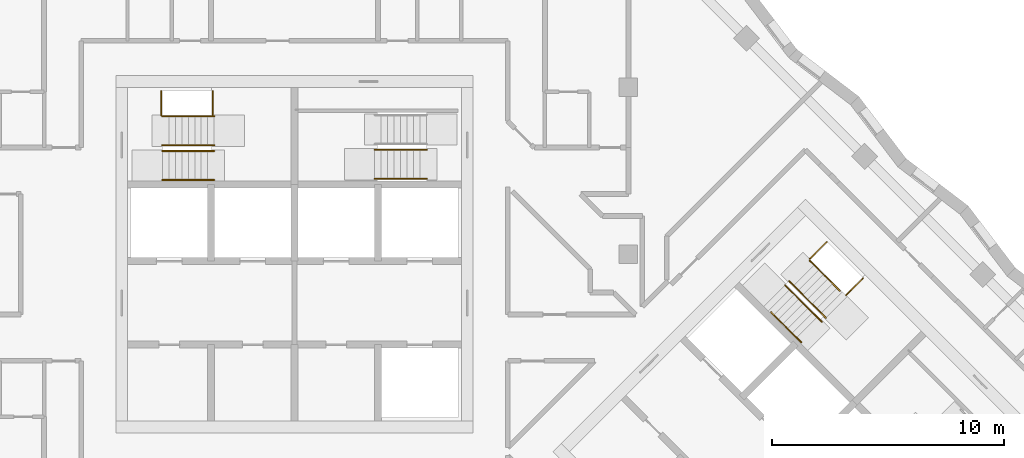
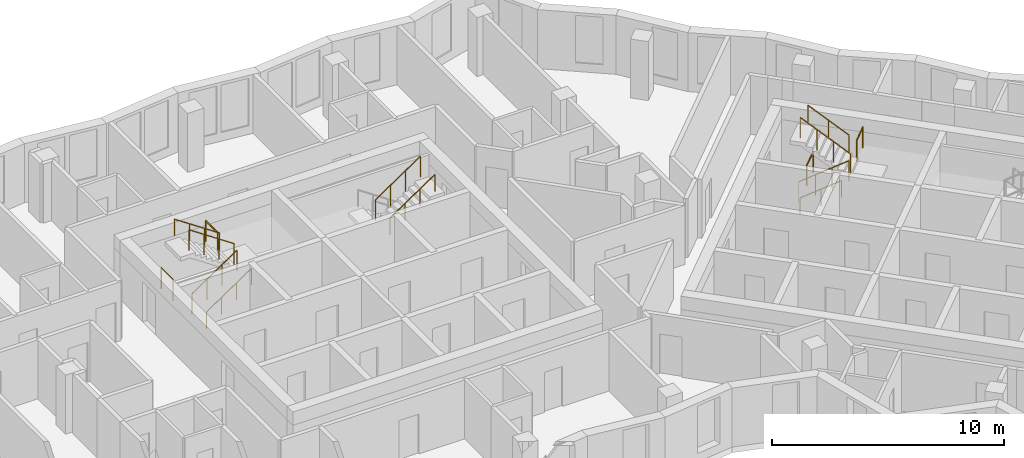
# One storey, part 10 of 12: 14 railings.
"""IFC4 building model written with IfcOpenShell, lengths in metres."""

import ifcopenshell
import ifcopenshell.guid

model = None  # the IFC model being written
_history = None  # IfcOwnerHistory: only IFC2X3 demands one
_inside = {}  # id of a spatial element -> (the spatial element, [elements in it])
_under = {}  # id of a project, library or spatial element -> (it, [spatial elements below it])
_declared = {}  # id of a project -> (the project, [libraries it declares])
_typed = {}  # id of a type object -> (the type object, [elements of that type])
_made_of = {}  # id of a material, layer set ... -> (it, [elements and type objects made of it])


def new_model(schema):
    """Start an empty IFC model of exactly this schema.

    Asked for "IFC4X3", IfcOpenShell would pick the latest addendum, in which some entities
    have other attributes; the version numbers below select the first issue.
    IFC2X3 requires an IfcOwnerHistory on every rooted entity: one is made here for all.
    """
    global model, _history
    if schema == "IFC4X3":
        model = ifcopenshell.file(schema_version=(4, 3, 0, 0))
    else:
        model = ifcopenshell.file(schema=schema)
    _inside.clear()
    _under.clear()
    _declared.clear()
    _typed.clear()
    _made_of.clear()
    _history = None
    if model.schema == "IFC2X3":
        org = make("IfcOrganization", Name="unknown")
        user = make(
            "IfcPersonAndOrganization",
            ThePerson=make("IfcPerson", FamilyName="unknown"),
            TheOrganization=org,
        )
        app = make(
            "IfcApplication",
            ApplicationDeveloper=org,
            Version="unknown",
            ApplicationFullName="unknown",
            ApplicationIdentifier="unknown",
        )
        _history = make(
            "IfcOwnerHistory",
            OwningUser=user,
            OwningApplication=app,
            ChangeAction="ADDED",
            CreationDate=0,
        )
    return model


def make(cls, **values):
    """One entity of the class cls with the attributes given. An attribute that is None is left unset."""
    return model.create_entity(
        cls, **{name: value for name, value in values.items() if value is not None}
    )


def rooted(cls, **values):
    """An entity with a GlobalId (a new one), such as an element, a storey or a relation."""
    return make(cls, GlobalId=ifcopenshell.guid.new(), OwnerHistory=_history, **values)


def si_unit(unit_type, name, prefix=None):
    """IfcSIUnit, for example si_unit("LENGTHUNIT", "METRE", prefix="MILLI")."""
    return make("IfcSIUnit", UnitType=unit_type, Prefix=prefix, Name=name)


def assignment(units):
    """IfcUnitAssignment: the units of a project."""
    return None if units is None else make("IfcUnitAssignment", Units=units)


def point(xyz):
    """IfcCartesianPoint."""
    return None if xyz is None else make("IfcCartesianPoint", Coordinates=xyz)


def direction(xyz):
    """IfcDirection."""
    return None if xyz is None else make("IfcDirection", DirectionRatios=xyz)


def frame(location, z_axis=None, x_axis=None):
    """IfcAxis2Placement3D, a coordinate frame: its origin and axes. An axis left out is left unset."""
    return make(
        "IfcAxis2Placement3D",
        Location=point(location),
        Axis=direction(z_axis),
        RefDirection=direction(x_axis),
    )


def frame_2d(location, x_axis=None):
    """IfcAxis2Placement2D, a coordinate frame in the plane: its origin and x axis."""
    return make(
        "IfcAxis2Placement2D", Location=point(location), RefDirection=direction(x_axis)
    )


def origin():
    """The frame at (0, 0, 0) with its axes left unset."""
    return frame((0.0, 0.0, 0.0))


def origin_2d():
    """The frame at (0, 0) in the plane with its x axis left unset."""
    return frame_2d((0.0, 0.0))


def place(relative_to, where):
    """IfcLocalPlacement: puts the frame where relative to a parent placement (None: the world)."""
    return make(
        "IfcLocalPlacement", PlacementRelTo=relative_to, RelativePlacement=where
    )


def context(
    kind, dimensions, precision=None, world=None, true_north=None, identifier=None
):
    """IfcGeometricRepresentationContext, for example the 3D "Model" context."""
    return make(
        "IfcGeometricRepresentationContext",
        ContextIdentifier=identifier,
        ContextType=kind,
        CoordinateSpaceDimension=dimensions,
        Precision=precision,
        WorldCoordinateSystem=world,
        TrueNorth=true_north,
    )


def subcontext(parent, identifier, kind, view, scale=None):
    """IfcGeometricRepresentationSubContext, for example "Body" below "Model"."""
    return make(
        "IfcGeometricRepresentationSubContext",
        ContextIdentifier=identifier,
        ContextType=kind,
        ParentContext=parent,
        TargetScale=scale,
        TargetView=view,
    )


def project(units=None, contexts=None):
    """IfcProject with its units and contexts."""
    return rooted(
        "IfcProject",
        Name="project",
        RepresentationContexts=contexts,
        UnitsInContext=assignment(units),
    )


def spatial(cls, under=None, at=None, **own):
    """A site, building, storey or space (cls), placed at a placement, below another one or the project."""
    s = rooted(cls, ObjectPlacement=at, **own)
    if under is not None:
        _under.setdefault(under.id(), (under, []))[1].append(s)
    return s


def profile(cls, at=None, kind="AREA", **sizes):
    """A parametric profile (cls). Its sizes go by their IFC names, for example OverallWidth=200.0."""
    return make(cls, ProfileType=kind, Position=at, **sizes)


def circle(**sizes):
    """IfcCircleProfileDef."""
    return profile("IfcCircleProfileDef", **sizes)


def extrude(swept, where, along, depth):
    """IfcExtrudedAreaSolid: the profile swept, set in the frame where, extruded along a direction by depth."""
    return make(
        "IfcExtrudedAreaSolid",
        SweptArea=swept,
        Position=where,
        ExtrudedDirection=direction(along),
        Depth=depth,
    )


def shape(context_of_items, identifier, shape_type, items):
    """IfcShapeRepresentation: the items that make up one representation, for example the "Body"."""
    return make(
        "IfcShapeRepresentation",
        ContextOfItems=context_of_items,
        RepresentationIdentifier=identifier,
        RepresentationType=shape_type,
        Items=items,
    )


def material(Name=None, Category=None):
    """IfcMaterial."""
    return make("IfcMaterial", Name=Name, Category=Category)


def made_of(thing, what):
    """Note that an element or type object is made of a material, layer set ...; save() writes the relation."""
    if what is not None:
        _made_of.setdefault(what.id(), (what, []))[1].append(thing)
    return thing


def type_object(cls, material=None, **own):
    """A type object (cls), such as IfcWallType, which elements share."""
    return made_of(rooted(cls, **own), material)


def element(
    cls,
    number,
    at=None,
    inside=None,
    cuts=None,
    type_object=None,
    material=None,
    context=None,
    identifier="Body",
    shape_type=None,
    held_by="IfcProductDefinitionShape",
    body=None,
    shapes=None,
    **own,
):
    """One element of the class cls, such as IfcWall. Its Tag is "e" and its number.

    at: its placement. inside: the storey or other place that contains it. cuts: it is an
    opening in that element (IfcRelVoidsElement). A single representation is given by context,
    identifier, shape_type and body (its items); several are given by shapes. held_by: the class
    of the entity that holds the representations. save() writes the other relations.
    """
    e = rooted(cls, Tag="e%d" % number, ObjectPlacement=at, **own)
    if body is not None:
        shapes = [shape(context, identifier, shape_type, body)]
    if shapes is not None:
        e.Representation = make(held_by, Representations=shapes)
    if inside is not None:
        _inside.setdefault(inside.id(), (inside, []))[1].append(e)
    if cuts is not None:
        rooted(
            "IfcRelVoidsElement", RelatingBuildingElement=cuts, RelatedOpeningElement=e
        )
    if type_object is not None:
        _typed.setdefault(type_object.id(), (type_object, []))[1].append(e)
    return made_of(e, material)


def aggregate(whole, parts):
    """IfcRelAggregates: a whole, such as a stair, and the parts it consists of."""
    return rooted("IfcRelAggregates", RelatingObject=whole, RelatedObjects=parts)


def save(model, path):
    """Write the relations noted so far, then the file.

    IfcRelAggregates (storeys below a building ...), IfcRelContainedInSpatialStructure (elements
    in a storey), IfcRelDefinesByType, IfcRelAssociatesMaterial and IfcRelDeclares: one each for
    every whole, place, type object, material and project.
    """
    for whole, parts in _under.values():
        aggregate(whole, parts)
    for where, things in _inside.values():
        rooted(
            "IfcRelContainedInSpatialStructure",
            RelatedElements=things,
            RelatingStructure=where,
        )
    for kind, things in _typed.values():
        rooted("IfcRelDefinesByType", RelatedObjects=things, RelatingType=kind)
    for what, things in _made_of.values():
        rooted("IfcRelAssociatesMaterial", RelatedObjects=things, RelatingMaterial=what)
    for by, libraries in _declared.values():
        rooted("IfcRelDeclares", RelatingContext=by, RelatedDefinitions=libraries)
    model.write(path)


model = new_model("IFC4")

# Units and contexts
model_context = context("Model", 3, precision=1e-05, world=origin(), true_north=direction((0.0, 1.0)))
body_context = subcontext(model_context, "Body", "Model", "MODEL_VIEW")
ifc_project = project(units=[si_unit("LENGTHUNIT", "METRE"), si_unit("AREAUNIT", "SQUARE_METRE"), si_unit("VOLUMEUNIT", "CUBIC_METRE"), si_unit("PLANEANGLEUNIT", "RADIAN"), si_unit("MASSUNIT", "GRAM", prefix="KILO")], contexts=[model_context])

# Site, building, storey
site_placement = place(None, origin())
site = spatial("IfcSite", under=ifc_project, at=site_placement, CompositionType="ELEMENT")
building_placement = place(site_placement, origin())
building = spatial("IfcBuilding", under=site, at=building_placement, Name="Windrow Commons", CompositionType="ELEMENT")
storey_placement = place(building_placement, frame((0.0, 0.0, 206.6)))
storey = spatial("IfcBuildingStorey", under=building, at=storey_placement, Name="L56", CompositionType="ELEMENT", Elevation=206.6)

# Railings
ifc_material_1 = material(Name="Steel S355", Category="steel")
railing_type_1 = type_object("IfcRailingType", Name="Core stair guard 1100", PredefinedType="GUARDRAIL", material=ifc_material_1)
railing_1_placement = place(storey_placement, frame((59.1, 62.05, 0.1889)))
element("IfcRailing", 1, at=railing_1_placement, inside=storey, type_object=railing_type_1, Name="L56 ST-A1 stair guard 1", PredefinedType="GUARDRAIL", context=body_context, shape_type="SweptSolid", body=[
    extrude(circle(Radius=0.024, at=origin_2d()), frame((0.0, 0.0, 1.076), z_axis=(0.8290030985, 0.0, 0.5592440099), x_axis=(0.0, 1.0, 0.0)), (0.0, 0.0, 1.0), 2.702),
    extrude(circle(Radius=0.021, at=origin_2d()), origin(), (0.0, 0.0, 1.0), 1.052),
    extrude(circle(Radius=0.021, at=origin_2d()), frame((0.7467, 0.0, 0.5037)), (0.0, 0.0, 1.0), 1.052),
    extrude(circle(Radius=0.021, at=origin_2d()), frame((1.4933, 0.0, 1.0074)), (0.0, 0.0, 1.0), 1.052),
    extrude(circle(Radius=0.021, at=origin_2d()), frame((2.24, 0.0, 1.5111)), (0.0, 0.0, 1.0), 1.052),
])
railing_2_placement = place(storey_placement, frame((61.34, 62.3, 1.8889)))
element("IfcRailing", 2, at=railing_2_placement, inside=storey, type_object=railing_type_1, Name="L56 ST-A1 stair guard 2", PredefinedType="GUARDRAIL", context=body_context, shape_type="SweptSolid", body=[
    extrude(circle(Radius=0.024, at=origin_2d()), frame((0.0, 0.0, 1.076), z_axis=(-0.8290030985, 0.0, 0.5592440099), x_axis=(0.0, -1.0, 0.0)), (0.0, 0.0, 1.0), 2.702),
    extrude(circle(Radius=0.021, at=origin_2d()), origin(), (0.0, 0.0, 1.0), 1.052),
    extrude(circle(Radius=0.021, at=origin_2d()), frame((-0.7467, 0.0, 0.5037)), (0.0, 0.0, 1.0), 1.052),
    extrude(circle(Radius=0.021, at=origin_2d()), frame((-1.4933, 0.0, 1.0074)), (0.0, 0.0, 1.0), 1.052),
    extrude(circle(Radius=0.021, at=origin_2d()), frame((-2.24, 0.0, 1.5111)), (0.0, 0.0, 1.0), 1.052),
])
for number, where, name in (
    (3, (59.05, 63.6, 0.0), "L56 ST-A1 stair guard 3"),
    (4, (61.27, 63.6, 1.7), "L56 ST-A1 stair guard 4"),
):
    element("IfcRailing", number, at=place(storey_placement, frame(where)), inside=storey, type_object=railing_type_1, Name=name, PredefinedType="GUARDRAIL", context=body_context, shape_type="SweptSolid", body=[
        extrude(circle(Radius=0.024, at=origin_2d()), frame((0.0, 0.0, 1.076), z_axis=(0.0, 1.0, 0.0), x_axis=(-1.0, 0.0, 0.0)), (0.0, 0.0, 1.0), 1.03),
        extrude(circle(Radius=0.021, at=origin_2d()), origin(), (0.0, 0.0, 1.0), 1.052),
        extrude(circle(Radius=0.021, at=origin_2d()), frame((0.0, 1.03, 0.0)), (0.0, 0.0, 1.0), 1.052),
    ])
railing_3_placement = place(storey_placement, frame((68.26, 62.105, 1.8889)))
element("IfcRailing", 5, at=railing_3_placement, inside=storey, type_object=railing_type_1, Name="L56 ST-A2 stair guard 2", PredefinedType="GUARDRAIL", context=body_context, shape_type="SweptSolid", body=[
    extrude(circle(Radius=0.024, at=origin_2d()), frame((0.0, 0.0, 1.076), z_axis=(0.8290030985, 0.0, 0.5592440099), x_axis=(0.0, 1.0, 0.0)), (0.0, 0.0, 1.0), 2.702),
    extrude(circle(Radius=0.021, at=origin_2d()), origin(), (0.0, 0.0, 1.0), 1.052),
    extrude(circle(Radius=0.021, at=origin_2d()), frame((0.7467, 0.0, 0.5037)), (0.0, 0.0, 1.0), 1.052),
    extrude(circle(Radius=0.021, at=origin_2d()), frame((1.4933, 0.0, 1.0074)), (0.0, 0.0, 1.0), 1.052),
    extrude(circle(Radius=0.021, at=origin_2d()), frame((2.24, 0.0, 1.5111)), (0.0, 0.0, 1.0), 1.052),
])
railing_4_placement = place(storey_placement, frame((85.9529, 56.2669, 0.1889)))
element("IfcRailing", 6, at=railing_4_placement, inside=storey, type_object=railing_type_1, Name="L56 ST-B1 stair guard 1", PredefinedType="GUARDRAIL", context=body_context, shape_type="SweptSolid", body=[
    extrude(circle(Radius=0.024, at=origin_2d()), frame((0.0, 0.0, 1.076), z_axis=(0.5861914914, -0.5861914914, 0.5592486664), x_axis=(0.7071067812, 0.7071067812, 0.0)), (0.0, 0.0, 1.0), 2.702),
    extrude(circle(Radius=0.021, at=origin_2d()), origin(), (0.0, 0.0, 1.0), 1.052),
    extrude(circle(Radius=0.021, at=origin_2d()), frame((0.528, -0.528, 0.5037)), (0.0, 0.0, 1.0), 1.052),
    extrude(circle(Radius=0.021, at=origin_2d()), frame((1.0559, -1.0559, 1.0074)), (0.0, 0.0, 1.0), 1.052),
    extrude(circle(Radius=0.021, at=origin_2d()), frame((1.5839, -1.5839, 1.5111)), (0.0, 0.0, 1.0), 1.052),
])
railing_5_placement = place(storey_placement, frame((87.7136, 54.8597, 1.8889)))
element("IfcRailing", 7, at=railing_5_placement, inside=storey, type_object=railing_type_1, Name="L56 ST-B1 stair guard 2", PredefinedType="GUARDRAIL", context=body_context, shape_type="SweptSolid", body=[
    extrude(circle(Radius=0.024, at=origin_2d()), frame((0.0, 0.0, 1.076), z_axis=(-0.5862030657, 0.5862030657, 0.5592244018), x_axis=(-0.7071067812, -0.7071067812, 0.0)), (0.0, 0.0, 1.0), 2.7021),
    extrude(circle(Radius=0.021, at=origin_2d()), origin(), (0.0, 0.0, 1.0), 1.052),
    extrude(circle(Radius=0.021, at=origin_2d()), frame((-0.528, 0.528, 0.5037)), (0.0, 0.0, 1.0), 1.052),
    extrude(circle(Radius=0.021, at=origin_2d()), frame((-1.056, 1.056, 1.0074)), (0.0, 0.0, 1.0), 1.052),
    extrude(circle(Radius=0.021, at=origin_2d()), frame((-1.584, 1.584, 1.5111)), (0.0, 0.0, 1.0), 1.052),
])
railing_6_placement = place(storey_placement, frame((87.0135, 57.3982, 0.0)))
element("IfcRailing", 8, at=railing_6_placement, inside=storey, type_object=railing_type_1, Name="L56 ST-B1 stair guard 3", PredefinedType="GUARDRAIL", context=body_context, shape_type="SweptSolid", body=[
    extrude(circle(Radius=0.024, at=origin_2d()), frame((0.0, 0.0, 1.076), z_axis=(0.7070582378, 0.7071553212, 0.0), x_axis=(-0.7071553212, 0.7070582378, 0.0)), (0.0, 0.0, 1.0), 1.03),
    extrude(circle(Radius=0.021, at=origin_2d()), origin(), (0.0, 0.0, 1.0), 1.052),
    extrude(circle(Radius=0.021, at=origin_2d()), frame((0.7283, 0.7284, 0.0)), (0.0, 0.0, 1.0), 1.052),
])
railing_7_placement = place(storey_placement, frame((88.5833, 55.8285, 1.7)))
element("IfcRailing", 9, at=railing_7_placement, inside=storey, type_object=railing_type_1, Name="L56 ST-B1 stair guard 4", PredefinedType="GUARDRAIL", context=body_context, shape_type="SweptSolid", body=[
    extrude(circle(Radius=0.024, at=origin_2d()), frame((0.0, 0.0, 1.076), z_axis=(0.7071067812, 0.7071067812, 0.0), x_axis=(-0.7071067812, 0.7071067812, 0.0)), (0.0, 0.0, 1.0), 1.03),
    extrude(circle(Radius=0.021, at=origin_2d()), origin(), (0.0, 0.0, 1.0), 1.052),
    extrude(circle(Radius=0.021, at=origin_2d()), frame((0.7283, 0.7283, 0.0)), (0.0, 0.0, 1.0), 1.052),
])
ifc_material_2 = material(Name="Steel S355", Category="steel")
railing_type_2 = type_object("IfcRailingType", Name="Core stair handrail 900", PredefinedType="HANDRAIL", material=ifc_material_2)
railing_8_placement = place(storey_placement, frame((59.1, 60.8, 0.1889)))
element("IfcRailing", 10, at=railing_8_placement, inside=storey, type_object=railing_type_2, Name="L56 ST-A1 stair handrail 1", PredefinedType="HANDRAIL", context=body_context, shape_type="SweptSolid", body=[
    extrude(circle(Radius=0.024, at=origin_2d()), frame((0.0, 0.0, 0.876), z_axis=(0.8290030985, 0.0, 0.5592440099), x_axis=(0.0, 1.0, 0.0)), (0.0, 0.0, 1.0), 2.702),
    extrude(circle(Radius=0.021, at=origin_2d()), origin(), (0.0, 0.0, 1.0), 0.852),
    extrude(circle(Radius=0.021, at=origin_2d()), frame((0.7467, 0.0, 0.5037)), (0.0, 0.0, 1.0), 0.852),
    extrude(circle(Radius=0.021, at=origin_2d()), frame((1.4933, 0.0, 1.0074)), (0.0, 0.0, 1.0), 0.852),
    extrude(circle(Radius=0.021, at=origin_2d()), frame((2.24, 0.0, 1.5111)), (0.0, 0.0, 1.0), 0.852),
])
railing_9_placement = place(storey_placement, frame((61.34, 63.55, 1.8889)))
element("IfcRailing", 11, at=railing_9_placement, inside=storey, type_object=railing_type_2, Name="L56 ST-A1 stair handrail 2", PredefinedType="HANDRAIL", context=body_context, shape_type="SweptSolid", body=[
    extrude(circle(Radius=0.024, at=origin_2d()), frame((0.0, 0.0, 0.876), z_axis=(-0.8290030985, 0.0, 0.5592440099), x_axis=(0.0, -1.0, 0.0)), (0.0, 0.0, 1.0), 2.702),
    extrude(circle(Radius=0.021, at=origin_2d()), origin(), (0.0, 0.0, 1.0), 0.852),
    extrude(circle(Radius=0.021, at=origin_2d()), frame((-0.7467, 0.0, 0.5037)), (0.0, 0.0, 1.0), 0.852),
    extrude(circle(Radius=0.021, at=origin_2d()), frame((-1.4933, 0.0, 1.0074)), (0.0, 0.0, 1.0), 0.852),
    extrude(circle(Radius=0.021, at=origin_2d()), frame((-2.24, 0.0, 1.5111)), (0.0, 0.0, 1.0), 0.852),
])
railing_10_placement = place(storey_placement, frame((68.26, 60.855, 1.8889)))
element("IfcRailing", 12, at=railing_10_placement, inside=storey, type_object=railing_type_2, Name="L56 ST-A2 stair handrail 2", PredefinedType="HANDRAIL", context=body_context, shape_type="SweptSolid", body=[
    extrude(circle(Radius=0.024, at=origin_2d()), frame((0.0, 0.0, 0.876), z_axis=(0.8290030985, 0.0, 0.5592440099), x_axis=(0.0, 1.0, 0.0)), (0.0, 0.0, 1.0), 2.702),
    extrude(circle(Radius=0.021, at=origin_2d()), origin(), (0.0, 0.0, 1.0), 0.852),
    extrude(circle(Radius=0.021, at=origin_2d()), frame((0.7467, 0.0, 0.5037)), (0.0, 0.0, 1.0), 0.852),
    extrude(circle(Radius=0.021, at=origin_2d()), frame((1.4933, 0.0, 1.0074)), (0.0, 0.0, 1.0), 0.852),
    extrude(circle(Radius=0.021, at=origin_2d()), frame((2.24, 0.0, 1.5111)), (0.0, 0.0, 1.0), 0.852),
])
railing_11_placement = place(storey_placement, frame((85.3518, 55.1001, 0.4587)))
element("IfcRailing", 13, at=railing_11_placement, inside=storey, type_object=railing_type_2, Name="L56 ST-B1 stair handrail 1", PredefinedType="HANDRAIL", context=body_context, shape_type="SweptSolid", body=[
    extrude(circle(Radius=0.024, at=origin_2d()), frame((0.0, 0.0, 0.876), z_axis=(0.586206706, -0.5861616513, 0.5592639952), x_axis=(0.7070796062, 0.7071339551, 0.0)), (0.0, 0.0, 1.0), 2.2195),
    extrude(circle(Radius=0.021, at=origin_2d()), origin(), (0.0, 0.0, 1.0), 0.852),
    extrude(circle(Radius=0.021, at=origin_2d()), frame((0.6506, -0.6505, 0.6207)), (0.0, 0.0, 1.0), 0.852),
    extrude(circle(Radius=0.021, at=origin_2d()), frame((1.3011, -1.301, 1.2413)), (0.0, 0.0, 1.0), 0.852),
])
railing_12_placement = place(storey_placement, frame((88.3146, 56.0265, 2.1587)))
element("IfcRailing", 14, at=railing_12_placement, inside=storey, type_object=railing_type_2, Name="L56 ST-B1 stair handrail 2", PredefinedType="HANDRAIL", context=body_context, shape_type="SweptSolid", body=[
    extrude(circle(Radius=0.024, at=origin_2d()), frame((0.0, 0.0, 0.876), z_axis=(-0.586206706, 0.5861616513, 0.5592639952), x_axis=(-0.7070796062, -0.7071339551, 0.0)), (0.0, 0.0, 1.0), 2.2195),
    extrude(circle(Radius=0.021, at=origin_2d()), origin(), (0.0, 0.0, 1.0), 0.852),
    extrude(circle(Radius=0.021, at=origin_2d()), frame((-0.6506, 0.6505, 0.6206)), (0.0, 0.0, 1.0), 0.852),
    extrude(circle(Radius=0.021, at=origin_2d()), frame((-1.3011, 1.301, 1.2413)), (0.0, 0.0, 1.0), 0.852),
])

save(model, "model.ifc")
